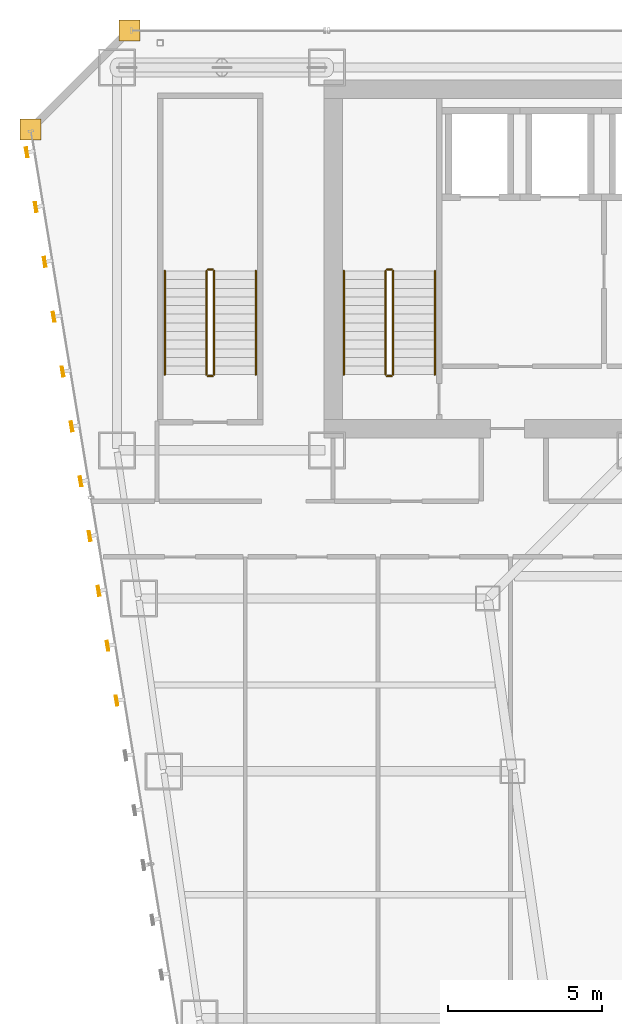
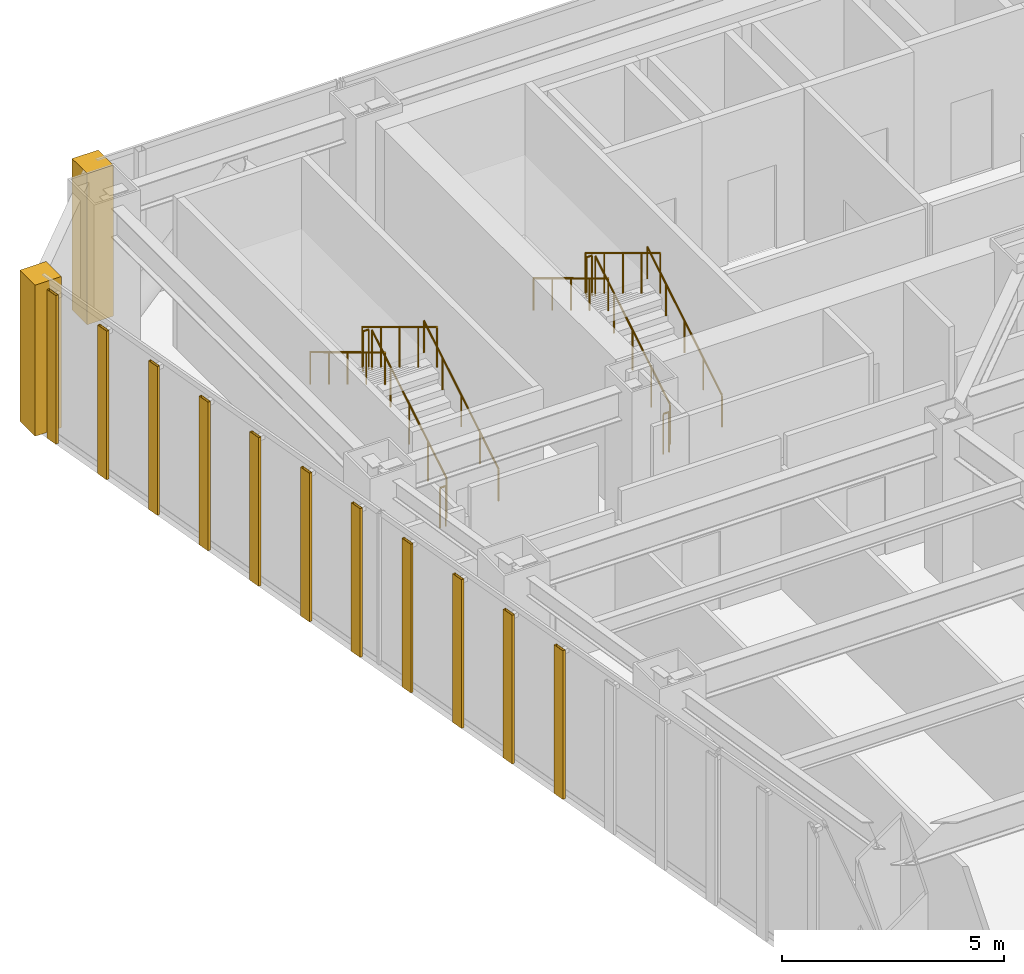
# One storey, part 46 of 47: 12 railings, 11 shading devices, 2 coverings.
"""IFC4 building model written with IfcOpenShell, lengths in metres."""

from ifc_helpers import new_model, si_unit, direction, frame, origin, origin_2d, place, context, subcontext, project, spatial, polyline, hollow_rectangle, circle, outline, extrude, material, layer, layer_set, material_profile, profile_set, type_object, element, save


model = new_model("IFC4")

# Units and contexts
model_context = context("Model", 3, precision=1e-05, world=origin(), true_north=direction((0.0, 1.0)))
body_context = subcontext(model_context, "Body", "Model", "MODEL_VIEW")
ifc_project = project(units=[si_unit("LENGTHUNIT", "METRE"), si_unit("AREAUNIT", "SQUARE_METRE"), si_unit("VOLUMEUNIT", "CUBIC_METRE"), si_unit("PLANEANGLEUNIT", "RADIAN"), si_unit("MASSUNIT", "GRAM", prefix="KILO")], contexts=[model_context])

# Site, building, storey
site_placement = place(None, origin())
site = spatial("IfcSite", under=ifc_project, at=site_placement, CompositionType="ELEMENT")
building_placement = place(site_placement, origin())
building = spatial("IfcBuilding", under=site, at=building_placement, Name="Saevonmaru Cultural Tower", CompositionType="ELEMENT")
storey_placement = place(building_placement, frame((0.0, 0.0, 78.0)))
storey = spatial("IfcBuildingStorey", under=building, at=storey_placement, Name="L16", CompositionType="ELEMENT", Elevation=78.0)

# Coverings
ifc_material_1 = material(Name="Satin Bronze Anodised Aluminium", Category="aluminium")
ifc_layer = layer(ifc_material_1, 0.679931640625, Name="Satin Bronze Anodised Aluminium")
ifc_layer_set = layer_set([ifc_layer], Name="Satin Bronze Anodised Aluminium")
covering_type = type_object("IfcCoveringType", Name="CV-CORNER-CLAD", PredefinedType="CLADDING", material=ifc_layer_set)
covering_1_placement = place(storey_placement, origin())
element("IfcCovering", 1, at=covering_1_placement, inside=storey, type_object=covering_type, Name="L16 Tower Bronze Corner Cladding Pier 11", PredefinedType="CLADDING", context=body_context, shape_type="SweptSolid", body=[
    extrude(outline(polyline([(6.860107421875, 55.659912109375), (7.5400390625, 55.659912109375), (7.5400390625, 56.340087890625), (6.860107421875, 56.340087890625), (6.860107421875, 55.659912109375)])), origin(), (0.0, 0.0, 1.0), 4.14990234375),
])
covering_2_placement = place(storey_placement, origin())
element("IfcCovering", 2, at=covering_2_placement, inside=storey, type_object=covering_type, Name="L16 Tower Bronze Corner Cladding Pier 12", PredefinedType="CLADDING", context=body_context, shape_type="SweptSolid", body=[
    extrude(outline(polyline([(3.659912109375, 52.4599609375), (4.340087890625, 52.4599609375), (4.340087890625, 53.139892578125), (3.659912109375, 53.139892578125), (3.659912109375, 52.4599609375)])), origin(), (0.0, 0.0, 1.0), 4.14990234375),
])

# Railings
ifc_material_2 = material(Name="Architectural Painted Steel", Category="steel")
railing_type_1 = type_object("IfcRailingType", Name="RL-STAIR-GUARD", PredefinedType="GUARDRAIL", material=ifc_material_2)
railing_1_placement = place(storey_placement, frame((15.75, 44.85009765625, 0.169189453125)))
element("IfcRailing", 3, at=railing_1_placement, inside=storey, type_object=railing_type_1, Name="L16 ST-1 stair guard 1", PredefinedType="GUARDRAIL", context=body_context, shape_type="SweptSolid", body=[
    extrude(circle(Radius=0.02392578125, at=origin_2d()), frame((0.0, 0.0, 1.09619140625), z_axis=(0.0, 0.855820338506, 0.51727318527), x_axis=(-1.0, 0.0, 0.0)), (0.0, 0.0, 1.0), 3.92578125),
    extrude(circle(Radius=0.02099609375, at=origin_2d()), origin(), (0.0, 0.0, 1.0), 1.072021484375),
    extrude(circle(Radius=0.02099609375, at=origin_2d()), frame((0.0, 0.83984375, 0.5078125)), (0.0, 0.0, 1.0), 1.072021484375),
    extrude(circle(Radius=0.02099609375, at=origin_2d()), frame((0.0, 1.679931640625, 1.015380859375)), (0.0, 0.0, 1.0), 1.072021484375),
    extrude(circle(Radius=0.02099609375, at=origin_2d()), frame((0.0, 2.52001953125, 1.52294921875)), (0.0, 0.0, 1.0), 1.072021484375),
    extrude(circle(Radius=0.02099609375, at=origin_2d()), frame((0.0, 3.35986328125, 2.03076171875)), (0.0, 0.0, 1.0), 1.072021484375),
])
railing_2_placement = place(storey_placement, frame((15.699951171875, 48.260009765625, 2.199951171875)))
element("IfcRailing", 4, at=railing_2_placement, inside=storey, type_object=railing_type_1, Name="L16 ST-1 stair guard 2", PredefinedType="GUARDRAIL", context=body_context, shape_type="SweptSolid", body=[
    extrude(circle(Radius=0.02392578125, at=origin_2d()), frame((0.0, 0.0, 1.09619140625), z_axis=(-1.0, 0.0, 0.0), x_axis=(0.0, -1.0, 0.0)), (0.0, 0.0, 1.0), 0.14990234375),
    extrude(circle(Radius=0.02099609375, at=origin_2d()), origin(), (0.0, 0.0, 1.0), 1.072021484375),
    extrude(circle(Radius=0.02099609375, at=origin_2d()), frame((-0.14990234375, 0.0, 0.0)), (0.0, 0.0, 1.0), 1.072021484375),
])
railing_3_placement = place(storey_placement, frame((15.5, 48.2099609375, 2.369140625)))
element("IfcRailing", 5, at=railing_3_placement, inside=storey, type_object=railing_type_1, Name="L16 ST-1 stair guard 3", PredefinedType="GUARDRAIL", context=body_context, shape_type="SweptSolid", body=[
    extrude(circle(Radius=0.02392578125, at=origin_2d()), frame((0.0, 0.0, 1.09619140625), z_axis=(0.0, -0.855820338506, 0.51727318527), x_axis=(1.0, 0.0, 0.0)), (0.0, 0.0, 1.0), 3.92578125),
    extrude(circle(Radius=0.02099609375, at=origin_2d()), origin(), (0.0, 0.0, 1.0), 1.072021484375),
    extrude(circle(Radius=0.02099609375, at=origin_2d()), frame((0.0, -0.83984375, 0.5078125)), (0.0, 0.0, 1.0), 1.072021484375),
    extrude(circle(Radius=0.02099609375, at=origin_2d()), frame((0.0, -1.679931640625, 1.015380859375)), (0.0, 0.0, 1.0), 1.072021484375),
    extrude(circle(Radius=0.02099609375, at=origin_2d()), frame((0.0, -2.52001953125, 1.52294921875)), (0.0, 0.0, 1.0), 1.072021484375),
    extrude(circle(Radius=0.02099609375, at=origin_2d()), frame((0.0, -3.35986328125, 2.03076171875)), (0.0, 0.0, 1.0), 1.072021484375),
])
railing_4_placement = place(storey_placement, frame((15.699951171875, 44.800048828125, 0.0)))
element("IfcRailing", 6, at=railing_4_placement, inside=storey, type_object=railing_type_1, Name="L16 ST-1 stair guard 4", PredefinedType="GUARDRAIL", context=body_context, shape_type="SweptSolid", body=[
    extrude(circle(Radius=0.02392578125, at=origin_2d()), frame((0.0, 0.0, 1.09619140625), z_axis=(-1.0, 0.0, 0.0), x_axis=(0.0, -1.0, 0.0)), (0.0, 0.0, 1.0), 0.14990234375),
    extrude(circle(Radius=0.02099609375, at=origin_2d()), origin(), (0.0, 0.0, 1.0), 1.072021484375),
    extrude(circle(Radius=0.02099609375, at=origin_2d()), frame((-0.14990234375, 0.0, 0.0)), (0.0, 0.0, 1.0), 1.072021484375),
])
railing_5_placement = place(storey_placement, frame((9.949951171875, 44.85009765625, 0.169189453125)))
element("IfcRailing", 7, at=railing_5_placement, inside=storey, type_object=railing_type_1, Name="L16 ST-3 stair guard 1", PredefinedType="GUARDRAIL", context=body_context, shape_type="SweptSolid", body=[
    extrude(circle(Radius=0.02392578125, at=origin_2d()), frame((0.0, 0.0, 1.09619140625), z_axis=(0.0, 0.855820338506, 0.51727318527), x_axis=(-1.0, 0.0, 0.0)), (0.0, 0.0, 1.0), 3.92578125),
    extrude(circle(Radius=0.02099609375, at=origin_2d()), origin(), (0.0, 0.0, 1.0), 1.072021484375),
    extrude(circle(Radius=0.02099609375, at=origin_2d()), frame((0.0, 0.83984375, 0.5078125)), (0.0, 0.0, 1.0), 1.072021484375),
    extrude(circle(Radius=0.02099609375, at=origin_2d()), frame((0.0, 1.679931640625, 1.015380859375)), (0.0, 0.0, 1.0), 1.072021484375),
    extrude(circle(Radius=0.02099609375, at=origin_2d()), frame((0.0, 2.52001953125, 1.52294921875)), (0.0, 0.0, 1.0), 1.072021484375),
    extrude(circle(Radius=0.02099609375, at=origin_2d()), frame((0.0, 3.35986328125, 2.03076171875)), (0.0, 0.0, 1.0), 1.072021484375),
])
railing_6_placement = place(storey_placement, frame((9.89990234375, 48.260009765625, 2.199951171875)))
element("IfcRailing", 8, at=railing_6_placement, inside=storey, type_object=railing_type_1, Name="L16 ST-3 stair guard 2", PredefinedType="GUARDRAIL", context=body_context, shape_type="SweptSolid", body=[
    extrude(circle(Radius=0.02392578125, at=origin_2d()), frame((0.0, 0.0, 1.09619140625), z_axis=(-1.0, 0.0, 0.0), x_axis=(0.0, -1.0, 0.0)), (0.0, 0.0, 1.0), 0.14990234375),
    extrude(circle(Radius=0.02099609375, at=origin_2d()), origin(), (0.0, 0.0, 1.0), 1.072021484375),
    extrude(circle(Radius=0.02099609375, at=origin_2d()), frame((-0.14990234375, 0.0, 0.0)), (0.0, 0.0, 1.0), 1.072021484375),
])
railing_7_placement = place(storey_placement, frame((9.699951171875, 48.2099609375, 2.369140625)))
element("IfcRailing", 9, at=railing_7_placement, inside=storey, type_object=railing_type_1, Name="L16 ST-3 stair guard 3", PredefinedType="GUARDRAIL", context=body_context, shape_type="SweptSolid", body=[
    extrude(circle(Radius=0.02392578125, at=origin_2d()), frame((0.0, 0.0, 1.09619140625), z_axis=(0.0, -0.855820338506, 0.51727318527), x_axis=(1.0, 0.0, 0.0)), (0.0, 0.0, 1.0), 3.92578125),
    extrude(circle(Radius=0.02099609375, at=origin_2d()), origin(), (0.0, 0.0, 1.0), 1.072021484375),
    extrude(circle(Radius=0.02099609375, at=origin_2d()), frame((0.0, -0.83984375, 0.5078125)), (0.0, 0.0, 1.0), 1.072021484375),
    extrude(circle(Radius=0.02099609375, at=origin_2d()), frame((0.0, -1.679931640625, 1.015380859375)), (0.0, 0.0, 1.0), 1.072021484375),
    extrude(circle(Radius=0.02099609375, at=origin_2d()), frame((0.0, -2.52001953125, 1.52294921875)), (0.0, 0.0, 1.0), 1.072021484375),
    extrude(circle(Radius=0.02099609375, at=origin_2d()), frame((0.0, -3.35986328125, 2.03076171875)), (0.0, 0.0, 1.0), 1.072021484375),
])
railing_8_placement = place(storey_placement, frame((9.89990234375, 44.800048828125, 0.0)))
element("IfcRailing", 10, at=railing_8_placement, inside=storey, type_object=railing_type_1, Name="L16 ST-3 stair guard 4", PredefinedType="GUARDRAIL", context=body_context, shape_type="SweptSolid", body=[
    extrude(circle(Radius=0.02392578125, at=origin_2d()), frame((0.0, 0.0, 1.09619140625), z_axis=(-1.0, 0.0, 0.0), x_axis=(0.0, -1.0, 0.0)), (0.0, 0.0, 1.0), 0.14990234375),
    extrude(circle(Radius=0.02099609375, at=origin_2d()), origin(), (0.0, 0.0, 1.0), 1.072021484375),
    extrude(circle(Radius=0.02099609375, at=origin_2d()), frame((-0.14990234375, 0.0, 0.0)), (0.0, 0.0, 1.0), 1.072021484375),
])
railing_type_2 = type_object("IfcRailingType", Name="RL-STAIR-HANDRAIL", PredefinedType="HANDRAIL", material=ifc_material_1)
railing_9_placement = place(storey_placement, frame((17.10009765625, 44.85009765625, 0.169189453125)))
element("IfcRailing", 11, at=railing_9_placement, inside=storey, type_object=railing_type_2, Name="L16 ST-1 stair handrail 1", PredefinedType="HANDRAIL", context=body_context, shape_type="SweptSolid", body=[
    extrude(circle(Radius=0.02392578125, at=origin_2d()), frame((0.0, 0.0, 0.8759765625), z_axis=(0.0, 0.855820338506, 0.51727318527), x_axis=(-1.0, 0.0, 0.0)), (0.0, 0.0, 1.0), 3.92578125),
    extrude(circle(Radius=0.02099609375, at=origin_2d()), origin(), (0.0, 0.0, 1.0), 0.851806640625),
    extrude(circle(Radius=0.02099609375, at=origin_2d()), frame((0.0, 0.83984375, 0.5078125)), (0.0, 0.0, 1.0), 0.851806640625),
    extrude(circle(Radius=0.02099609375, at=origin_2d()), frame((0.0, 1.679931640625, 1.015380859375)), (0.0, 0.0, 1.0), 0.851806640625),
    extrude(circle(Radius=0.02099609375, at=origin_2d()), frame((0.0, 2.52001953125, 1.52294921875)), (0.0, 0.0, 1.0), 0.851806640625),
    extrude(circle(Radius=0.02099609375, at=origin_2d()), frame((0.0, 3.35986328125, 2.03076171875)), (0.0, 0.0, 1.0), 0.851806640625),
])
railing_10_placement = place(storey_placement, frame((14.14990234375, 48.2099609375, 2.369140625)))
element("IfcRailing", 12, at=railing_10_placement, inside=storey, type_object=railing_type_2, Name="L16 ST-1 stair handrail 2", PredefinedType="HANDRAIL", context=body_context, shape_type="SweptSolid", body=[
    extrude(circle(Radius=0.02392578125, at=origin_2d()), frame((0.0, 0.0, 0.8759765625), z_axis=(0.0, -0.855820338506, 0.51727318527), x_axis=(1.0, 0.0, 0.0)), (0.0, 0.0, 1.0), 3.92578125),
    extrude(circle(Radius=0.02099609375, at=origin_2d()), origin(), (0.0, 0.0, 1.0), 0.851806640625),
    extrude(circle(Radius=0.02099609375, at=origin_2d()), frame((0.0, -0.83984375, 0.5078125)), (0.0, 0.0, 1.0), 0.851806640625),
    extrude(circle(Radius=0.02099609375, at=origin_2d()), frame((0.0, -1.679931640625, 1.015380859375)), (0.0, 0.0, 1.0), 0.851806640625),
    extrude(circle(Radius=0.02099609375, at=origin_2d()), frame((0.0, -2.52001953125, 1.52294921875)), (0.0, 0.0, 1.0), 0.851806640625),
    extrude(circle(Radius=0.02099609375, at=origin_2d()), frame((0.0, -3.35986328125, 2.03076171875)), (0.0, 0.0, 1.0), 0.851806640625),
])
railing_11_placement = place(storey_placement, frame((11.300048828125, 44.85009765625, 0.169189453125)))
element("IfcRailing", 13, at=railing_11_placement, inside=storey, type_object=railing_type_2, Name="L16 ST-3 stair handrail 1", PredefinedType="HANDRAIL", context=body_context, shape_type="SweptSolid", body=[
    extrude(circle(Radius=0.02392578125, at=origin_2d()), frame((0.0, 0.0, 0.8759765625), z_axis=(0.0, 0.855820338506, 0.51727318527), x_axis=(-1.0, 0.0, 0.0)), (0.0, 0.0, 1.0), 3.92578125),
    extrude(circle(Radius=0.02099609375, at=origin_2d()), origin(), (0.0, 0.0, 1.0), 0.851806640625),
    extrude(circle(Radius=0.02099609375, at=origin_2d()), frame((0.0, 0.83984375, 0.5078125)), (0.0, 0.0, 1.0), 0.851806640625),
    extrude(circle(Radius=0.02099609375, at=origin_2d()), frame((0.0, 1.679931640625, 1.015380859375)), (0.0, 0.0, 1.0), 0.851806640625),
    extrude(circle(Radius=0.02099609375, at=origin_2d()), frame((0.0, 2.52001953125, 1.52294921875)), (0.0, 0.0, 1.0), 0.851806640625),
    extrude(circle(Radius=0.02099609375, at=origin_2d()), frame((0.0, 3.35986328125, 2.03076171875)), (0.0, 0.0, 1.0), 0.851806640625),
])
railing_12_placement = place(storey_placement, frame((8.35009765625, 48.2099609375, 2.369140625)))
element("IfcRailing", 14, at=railing_12_placement, inside=storey, type_object=railing_type_2, Name="L16 ST-3 stair handrail 2", PredefinedType="HANDRAIL", context=body_context, shape_type="SweptSolid", body=[
    extrude(circle(Radius=0.02392578125, at=origin_2d()), frame((0.0, 0.0, 0.8759765625), z_axis=(0.0, -0.855820338506, 0.51727318527), x_axis=(1.0, 0.0, 0.0)), (0.0, 0.0, 1.0), 3.92578125),
    extrude(circle(Radius=0.02099609375, at=origin_2d()), origin(), (0.0, 0.0, 1.0), 0.851806640625),
    extrude(circle(Radius=0.02099609375, at=origin_2d()), frame((0.0, -0.83984375, 0.5078125)), (0.0, 0.0, 1.0), 0.851806640625),
    extrude(circle(Radius=0.02099609375, at=origin_2d()), frame((0.0, -1.679931640625, 1.015380859375)), (0.0, 0.0, 1.0), 0.851806640625),
    extrude(circle(Radius=0.02099609375, at=origin_2d()), frame((0.0, -2.52001953125, 1.52294921875)), (0.0, 0.0, 1.0), 0.851806640625),
    extrude(circle(Radius=0.02099609375, at=origin_2d()), frame((0.0, -3.35986328125, 2.03076171875)), (0.0, 0.0, 1.0), 0.851806640625),
])

# Shading devices
ifc_material_profile = material_profile(ifc_material_1, hollow_rectangle(XDim=0.070068359375, YDim=0.320068359375, WallThickness=0.0048828125, at=origin_2d()), Name="FIN-320x70")
ifc_profile_set = profile_set([ifc_material_profile], Name="Satin Bronze Anodised Aluminium")
shading_device_type = type_object("IfcShadingDeviceType", Name="SHD-FIN-320", PredefinedType="JALOUSIE", material=ifc_profile_set)
for number, where, z_axis, x_axis, name in (
    (15, (3.879150390625, 52.05322265625, 0.050048828125), (0.0, 0.0, 1.0), (-0.986827496189, -0.161776057456, 0.0), "L16 Art Deco Sawtooth Bronze Fin E12-01"),
    (16, (4.170166015625, 50.27685546875, 0.050048828125), (0.0, 0.0, 1.0), (-0.986827496189, -0.161776057456, 0.0), "L16 Art Deco Sawtooth Bronze Fin E12-02"),
    (17, (4.461181640625, 48.50048828125, 0.050048828125), (0.0, 0.0, 1.0), (-0.986827496189, -0.161776057456, 0.0), "L16 Art Deco Sawtooth Bronze Fin E12-03"),
    (18, (4.75244140625, 46.724365234375, 0.050048828125), (0.0, 0.0, 1.0), (-0.986827496189, -0.161776057456, 0.0), "L16 Art Deco Sawtooth Bronze Fin E12-04"),
    (19, (5.04345703125, 44.947998046875, 0.050048828125), (0.0, 0.0, 1.0), (-0.986827496189, -0.161776057456, 0.0), "L16 Art Deco Sawtooth Bronze Fin E12-05"),
    (20, (5.334716796875, 43.171630859375, 0.050048828125), (0.0, 0.0, 1.0), (-0.986827496189, -0.161776057456, 0.0), "L16 Art Deco Sawtooth Bronze Fin E12-06"),
    (21, (5.62548828125, 41.3955078125, 0.050048828125), (0.0, 0.0, 1.0), (-0.986827496189, -0.161776057456, 0.0), "L16 Art Deco Sawtooth Bronze Fin E12-07"),
    (22, (5.916748046875, 39.618896484375, 0.050048828125), (0.0, 0.0, 1.0), (-0.986827496189, -0.161776057456, 0.0), "L16 Art Deco Sawtooth Bronze Fin E12-08"),
    (23, (6.207763671875, 37.8427734375, 0.050048828125), (0.0, 0.0, 1.0), (-0.986827496189, -0.161776057456, 0.0), "L16 Art Deco Sawtooth Bronze Fin E12-09"),
    (24, (6.498779296875, 36.06640625, 0.050048828125), (0.0, 0.0, 1.0), (-0.986827496189, -0.161776057456, 0.0), "L16 Art Deco Sawtooth Bronze Fin E12-10"),
    (25, (6.789794921875, 34.2900390625, 0.050048828125), (0.0, 0.0, 1.0), (-0.986827496189, -0.161776057456, 0.0), "L16 Art Deco Sawtooth Bronze Fin E12-11"),
):
    element("IfcShadingDevice", number, at=place(storey_placement, frame(where, z_axis=z_axis, x_axis=x_axis)), inside=storey, type_object=shading_device_type, Name=name, PredefinedType="JALOUSIE", context=body_context, shape_type="SweptSolid", body=[
        extrude(hollow_rectangle(XDim=0.070068359375, YDim=0.320068359375, WallThickness=0.0048828125, at=origin_2d()), origin(), (0.0, 0.0, 1.0), 4.079833984375),
    ])

save(model, "model.ifc")
